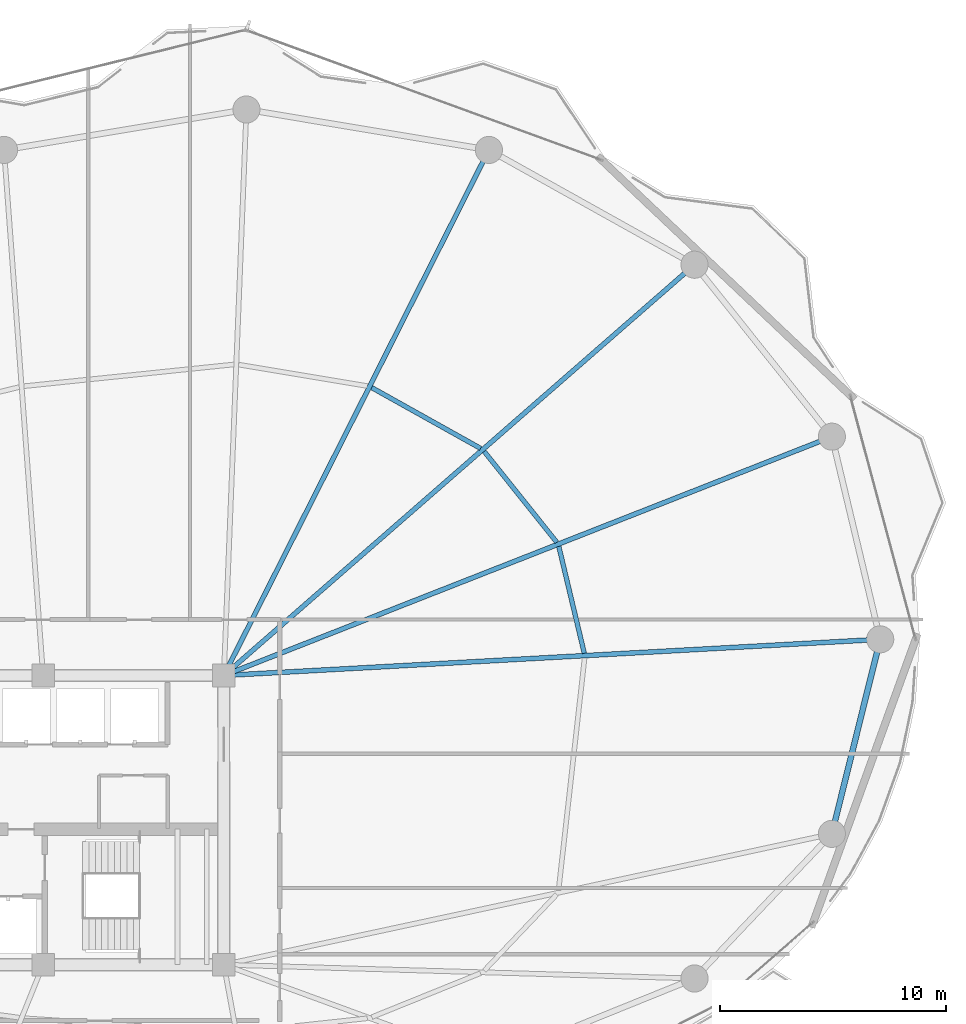
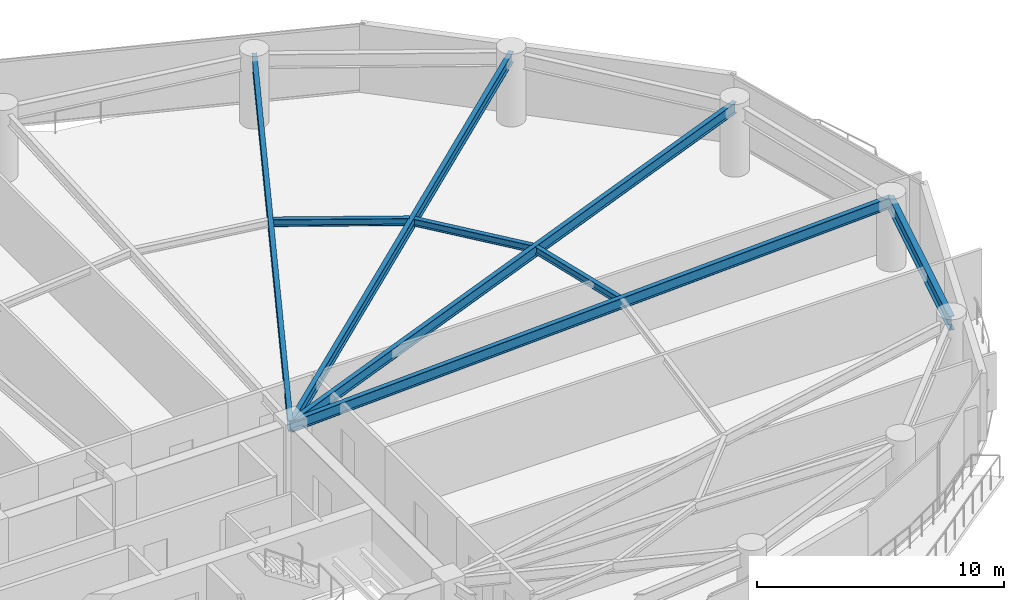
# One storey, part 14 of 28: 8 beams.
"""IFC4 building model written with IfcOpenShell, lengths in metres."""

from ifc_helpers import new_model, si_unit, direction, frame, origin, origin_2d, place, context, subcontext, project, spatial, i_section, extrude, material, material_profile, profile_set, type_object, element, save


model = new_model("IFC4")

# Units and contexts
model_context = context("Model", 3, precision=1e-05, world=origin(), true_north=direction((0.0, 1.0)))
body_context = subcontext(model_context, "Body", "Model", "MODEL_VIEW")
ifc_project = project(units=[si_unit("LENGTHUNIT", "METRE"), si_unit("AREAUNIT", "SQUARE_METRE"), si_unit("VOLUMEUNIT", "CUBIC_METRE"), si_unit("PLANEANGLEUNIT", "RADIAN"), si_unit("MASSUNIT", "GRAM", prefix="KILO")], contexts=[model_context])

# Site, building, storey
site_placement = place(None, origin())
site = spatial("IfcSite", under=ifc_project, at=site_placement, CompositionType="ELEMENT")
building_placement = place(site_placement, origin())
building = spatial("IfcBuilding", under=site, at=building_placement, Name="Kazevale Care Tower and Concert Hall", CompositionType="ELEMENT")
storey_placement = place(building_placement, frame((0.0, 0.0, 102.60009765625)))
storey = spatial("IfcBuildingStorey", under=building, at=storey_placement, Name="L26", CompositionType="ELEMENT", Elevation=102.60009765625)

# Beams
ifc_material = material(Name="Steel ASTM A572 Gr 50", Category="steel")
ifc_material_profile_1 = material_profile(ifc_material, i_section(OverallWidth=0.2119140625, OverallDepth=0.5439453125, WebThickness=0.01318359375, FlangeThickness=0.021240234375, at=origin_2d()), Name="W530x123")
ifc_profile_set_1 = profile_set([ifc_material_profile_1], Name="Steel ASTM A572 Gr 50")
beam_type_1 = type_object("IfcBeamType", Name="Radial Floor Girder W530x123", PredefinedType="BEAM", material=ifc_profile_set_1)
beam_1_placement = place(storey_placement, frame((44.0, 36.39990234375, 3.087890625), z_axis=(0.998486500016, 0.054997357076, 0.0), x_axis=(-0.054997357076, 0.998486500016, 0.0)))
element("IfcBeam", 1, at=beam_1_placement, inside=storey, type_object=beam_type_1, Name="beam:L26:rad:01", PredefinedType="BEAM", context=body_context, shape_type="SweptSolid", body=[
    extrude(i_section(OverallWidth=0.2119140625, OverallDepth=0.5439453125, WebThickness=0.01318359375, FlangeThickness=0.021240234375, at=origin_2d()), origin(), (0.0, 0.0, 1.0), 29.093994140625),
])
beam_2_placement = place(storey_placement, frame((44.0, 36.39990234375, 3.087890625), z_axis=(0.930771301513, 0.36560194786, 0.0), x_axis=(-0.36560194786, 0.930771301513, 0.0)))
element("IfcBeam", 2, at=beam_2_placement, inside=storey, type_object=beam_type_1, Name="beam:L26:rad:02", PredefinedType="BEAM", context=body_context, shape_type="SweptSolid", body=[
    extrude(i_section(OverallWidth=0.2119140625, OverallDepth=0.5439453125, WebThickness=0.01318359375, FlangeThickness=0.021240234375, at=origin_2d()), origin(), (0.0, 0.0, 1.0), 28.911376953125),
])
beam_3_placement = place(storey_placement, frame((44.0, 36.39990234375, 3.087890625), z_axis=(0.753403181998, 0.657558853149, 0.0), x_axis=(-0.657558853149, 0.753403181998, 0.0)))
element("IfcBeam", 3, at=beam_3_placement, inside=storey, type_object=beam_type_1, Name="beam:L26:rad:03", PredefinedType="BEAM", context=body_context, shape_type="SweptSolid", body=[
    extrude(i_section(OverallWidth=0.2119140625, OverallDepth=0.5439453125, WebThickness=0.01318359375, FlangeThickness=0.021240234375, at=origin_2d()), origin(), (0.0, 0.0, 1.0), 27.64794921875),
])
beam_4_placement = place(storey_placement, frame((44.0, 36.39990234375, 3.087890625), z_axis=(0.450281187568, 0.892886808124, 0.0), x_axis=(-0.892886808124, 0.450281187568, 0.0)))
element("IfcBeam", 4, at=beam_4_placement, inside=storey, type_object=beam_type_1, Name="beam:L26:rad:04", PredefinedType="BEAM", context=body_context, shape_type="SweptSolid", body=[
    extrude(i_section(OverallWidth=0.2119140625, OverallDepth=0.5439453125, WebThickness=0.01318359375, FlangeThickness=0.021240234375, at=origin_2d()), origin(), (0.0, 0.0, 1.0), 26.05029296875),
])
ifc_material_profile_2 = material_profile(ifc_material, i_section(OverallWidth=0.205078125, OverallDepth=0.35400390625, WebThickness=0.009521484375, FlangeThickness=0.016845703125, at=origin_2d()), Name="W360x79")
ifc_profile_set_2 = profile_set([ifc_material_profile_2], Name="Steel ASTM A572 Gr 50")
beam_type_2 = type_object("IfcBeamType", Name="Secondary Floor Joist W360x79", PredefinedType="JOIST", material=ifc_profile_set_2)
beam_5_placement = place(storey_placement, frame((59.952880859375, 37.382080078125, 3.182861328125), z_axis=(-0.232005223279, 0.972714540023, 0.0), x_axis=(-0.972714540023, -0.232005223279, 0.0)))
element("IfcBeam", 5, at=beam_5_placement, inside=storey, type_object=beam_type_2, Name="beam:L26:joist:01", PredefinedType="JOIST", context=body_context, shape_type="SweptSolid", body=[
    extrude(i_section(OverallWidth=0.205078125, OverallDepth=0.35400390625, WebThickness=0.009521484375, FlangeThickness=0.016845703125, at=origin_2d()), origin(), (0.0, 0.0, 1.0), 4.861572265625),
])
beam_6_placement = place(storey_placement, frame((58.735107421875, 42.2958984375, 3.182861328125), z_axis=(-0.624261115922, 0.781215757104, 0.0), x_axis=(-0.781215757104, -0.624261115922, 0.0)))
element("IfcBeam", 6, at=beam_6_placement, inside=storey, type_object=beam_type_2, Name="beam:L26:joist:02", PredefinedType="JOIST", context=body_context, shape_type="SweptSolid", body=[
    extrude(i_section(OverallWidth=0.205078125, OverallDepth=0.35400390625, WebThickness=0.009521484375, FlangeThickness=0.016845703125, at=origin_2d()), origin(), (0.0, 0.0, 1.0), 5.147216796875),
])
beam_7_placement = place(storey_placement, frame((55.364990234375, 46.449951171875, 3.182861328125), z_axis=(-0.873137755824, 0.487473547338, 0.0), x_axis=(-0.487473547338, -0.873137755824, 0.0)))
element("IfcBeam", 7, at=beam_7_placement, inside=storey, type_object=beam_type_2, Name="beam:L26:joist:03", PredefinedType="JOIST", context=body_context, shape_type="SweptSolid", body=[
    extrude(i_section(OverallWidth=0.205078125, OverallDepth=0.35400390625, WebThickness=0.009521484375, FlangeThickness=0.016845703125, at=origin_2d()), origin(), (0.0, 0.0, 1.0), 5.522705078125),
])
ifc_material_profile_3 = material_profile(ifc_material, i_section(OverallWidth=0.256103515625, OverallDepth=0.693115234375, WebThickness=0.014404296875, FlangeThickness=0.023681640625, at=origin_2d()), Name="W690x170")
ifc_profile_set_3 = profile_set([ifc_material_profile_3], Name="Steel ASTM A572 Gr 50")
beam_type_3 = type_object("IfcBeamType", Name="Waist Ring Beam W690x170", PredefinedType="BEAM", material=ifc_profile_set_3)
beam_8_placement = place(storey_placement, frame((70.909912109375, 29.389892578125, 3.013427734375), z_axis=(0.241221022882, 0.970470204653, 0.0), x_axis=(-0.970470204653, 0.241221022882, 0.0)))
element("IfcBeam", 8, at=beam_8_placement, inside=storey, type_object=beam_type_3, Name="beam:L26:ring:16", PredefinedType="BEAM", context=body_context, shape_type="SweptSolid", body=[
    extrude(i_section(OverallWidth=0.256103515625, OverallDepth=0.693115234375, WebThickness=0.014404296875, FlangeThickness=0.023681640625, at=origin_2d()), origin(), (0.0, 0.0, 1.0), 8.8720703125),
])

save(model, "model.ifc")
